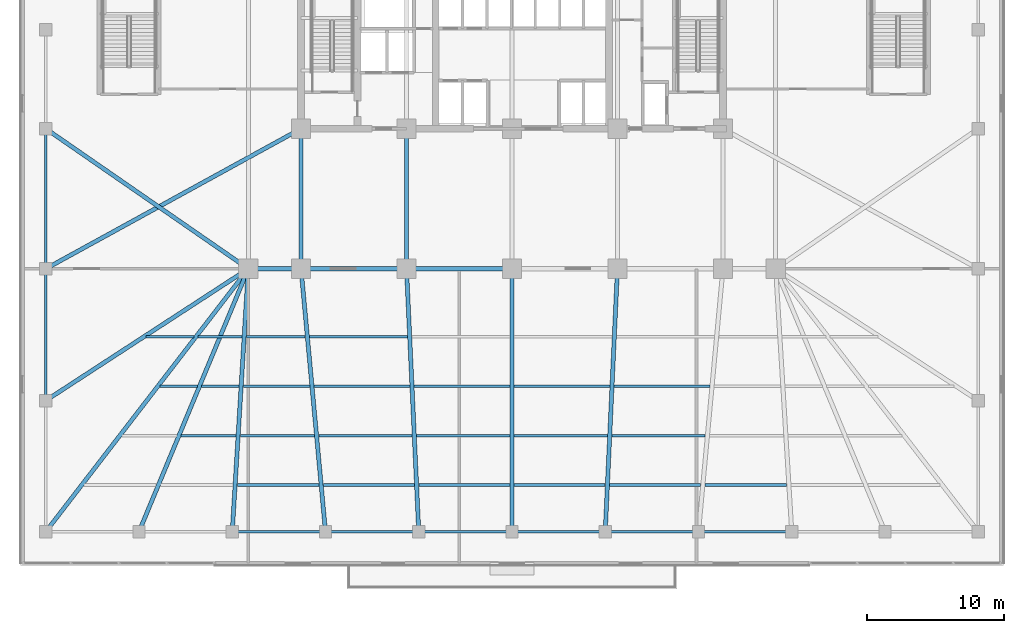
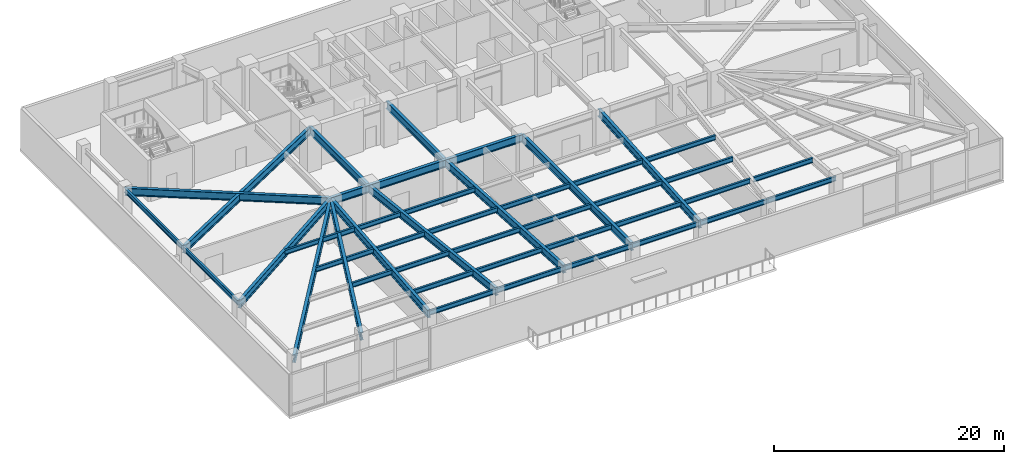
# One storey, part 3 of 15: 46 beams.
"""IFC4 building model written with IfcOpenShell, lengths in metres."""

from ifc_helpers import new_model, si_unit, direction, frame, origin, origin_2d, place, context, subcontext, project, spatial, i_section, extrude, material, material_profile, profile_set, type_object, element, save


model = new_model("IFC4")

# Units and contexts
model_context = context("Model", 3, precision=1e-05, world=origin(), true_north=direction((0.0, 1.0)))
body_context = subcontext(model_context, "Body", "Model", "MODEL_VIEW")
ifc_project = project(units=[si_unit("LENGTHUNIT", "METRE"), si_unit("AREAUNIT", "SQUARE_METRE"), si_unit("VOLUMEUNIT", "CUBIC_METRE"), si_unit("PLANEANGLEUNIT", "RADIAN"), si_unit("MASSUNIT", "GRAM", prefix="KILO")], contexts=[model_context])

# Site, building, storey
site_placement = place(None, origin())
site = spatial("IfcSite", under=ifc_project, at=site_placement, CompositionType="ELEMENT")
building_placement = place(site_placement, origin())
building = spatial("IfcBuilding", under=site, at=building_placement, Name="Yelkora Congress Tower", CompositionType="ELEMENT")
storey_placement = place(building_placement, frame((0.0, 0.0, 20.39990234375)))
storey = spatial("IfcBuildingStorey", under=building, at=storey_placement, Name="L04", CompositionType="ELEMENT", Elevation=20.39990234375)

# Beams
ifc_material_1 = material(Name="Steel S460M", Category="steel")
ifc_material_profile_1 = material_profile(ifc_material_1, i_section(OverallWidth=0.300048828125, OverallDepth=0.800048828125, WebThickness=0.017578125, FlangeThickness=0.032958984375, FilletRadius=0.030029296875, at=origin_2d()), Name="HEB 800")
ifc_profile_set_1 = profile_set([ifc_material_profile_1], Name="Steel S460M")
beam_type_1 = type_object("IfcBeamType", Name="BM-HALL-HEB800", PredefinedType="BEAM", material=ifc_profile_set_1)
beam_1_placement = place(storey_placement, frame((19.199951171875, 25.199951171875, 3.97998046875), z_axis=(1.0, 0.0, 0.0), x_axis=(0.0, 1.0, 0.0)))
element("IfcBeam", 1, at=beam_1_placement, inside=storey, type_object=beam_type_1, Name="L04 Spine Grid D Girder 1", PredefinedType="BEAM", context=body_context, shape_type="SweptSolid", body=[
    extrude(i_section(OverallWidth=0.300048828125, OverallDepth=0.800048828125, WebThickness=0.017578125, FlangeThickness=0.032958984375, FilletRadius=0.030029296875, at=origin_2d()), origin(), (0.0, 0.0, 1.0), 3.840087890625),
])
for number, where, z_axis, x_axis, name in (
    (2, (23.0400390625, 25.199951171875, 3.97998046875), (1.0, 0.0, 0.0), (0.0, 1.0, 0.0), "L04 Spine Grid D Girder 2"),
    (3, (30.719970703125, 25.199951171875, 3.97998046875), (1.0, 0.0, 0.0), (0.0, 1.0, 0.0), "L04 Spine Grid D Girder 3"),
):
    element("IfcBeam", number, at=place(storey_placement, frame(where, z_axis=z_axis, x_axis=x_axis)), inside=storey, type_object=beam_type_1, Name=name, PredefinedType="BEAM", context=body_context, shape_type="SweptSolid", body=[
        extrude(i_section(OverallWidth=0.300048828125, OverallDepth=0.800048828125, WebThickness=0.017578125, FlangeThickness=0.032958984375, FilletRadius=0.030029296875, at=origin_2d()), origin(), (0.0, 0.0, 1.0), 7.679931640625),
    ])
for number, where, z_axis, x_axis, name in (
    (4, (23.0400390625, 25.199951171875, 3.97998046875), (0.0, 1.0, 0.0), (-1.0, 0.0, 0.0), "L04 Core Tie Girder MC-D1"),
    (5, (30.719970703125, 25.199951171875, 3.97998046875), (0.0, 1.0, 0.0), (-1.0, 0.0, 0.0), "L04 Core Tie Girder MC-D2"),
):
    element("IfcBeam", number, at=place(storey_placement, frame(where, z_axis=z_axis, x_axis=x_axis)), inside=storey, type_object=beam_type_1, Name=name, PredefinedType="BEAM", context=body_context, shape_type="SweptSolid", body=[
        extrude(i_section(OverallWidth=0.300048828125, OverallDepth=0.800048828125, WebThickness=0.017578125, FlangeThickness=0.032958984375, FilletRadius=0.030029296875, at=origin_2d()), origin(), (0.0, 0.0, 1.0), 10.199951171875),
    ])
beam_2_placement = place(storey_placement, frame((4.449951171875, 6.050048828125, 3.97998046875), z_axis=(0.610212418574, 0.792237845737, 0.0), x_axis=(-0.792237845737, 0.610212418574, 0.0)))
element("IfcBeam", 6, at=beam_2_placement, inside=storey, type_object=beam_type_1, Name="L04 Primary Frame Girder PS01", PredefinedType="BEAM", context=body_context, shape_type="SweptSolid", body=[
    extrude(i_section(OverallWidth=0.300048828125, OverallDepth=0.800048828125, WebThickness=0.017578125, FlangeThickness=0.032958984375, FilletRadius=0.030029296875, at=origin_2d()), origin(), (0.0, 0.0, 1.0), 24.171875),
])
beam_3_placement = place(storey_placement, frame((11.239990234375, 6.050048828125, 3.97998046875), z_axis=(0.383827816401, 0.923404682334, 0.0), x_axis=(-0.923404682334, 0.383827816401, 0.0)))
element("IfcBeam", 7, at=beam_3_placement, inside=storey, type_object=beam_type_1, Name="L04 Primary Frame Girder PS02", PredefinedType="BEAM", context=body_context, shape_type="SweptSolid", body=[
    extrude(i_section(OverallWidth=0.300048828125, OverallDepth=0.800048828125, WebThickness=0.017578125, FlangeThickness=0.032958984375, FilletRadius=0.030029296875, at=origin_2d()), origin(), (0.0, 0.0, 1.0), 20.73828125),
])
beam_4_placement = place(storey_placement, frame((18.030029296875, 6.050048828125, 3.97998046875), z_axis=(0.060979146345, 0.99813904027, 0.0), x_axis=(-0.99813904027, 0.060979146345, 0.0)))
element("IfcBeam", 8, at=beam_4_placement, inside=storey, type_object=beam_type_1, Name="L04 Primary Frame Girder PS03", PredefinedType="BEAM", context=body_context, shape_type="SweptSolid", body=[
    extrude(i_section(OverallWidth=0.300048828125, OverallDepth=0.800048828125, WebThickness=0.017578125, FlangeThickness=0.032958984375, FilletRadius=0.030029296875, at=origin_2d()), origin(), (0.0, 0.0, 1.0), 19.185546875),
])
beam_5_placement = place(storey_placement, frame((24.820068359375, 6.050048828125, 3.97998046875), z_axis=(-0.092553417869, 0.995707720589, 0.0), x_axis=(-0.995707720589, -0.092553417869, 0.0)))
element("IfcBeam", 9, at=beam_5_placement, inside=storey, type_object=beam_type_1, Name="L04 Primary Frame Girder PS04", PredefinedType="BEAM", context=body_context, shape_type="SweptSolid", body=[
    extrude(i_section(OverallWidth=0.300048828125, OverallDepth=0.800048828125, WebThickness=0.017578125, FlangeThickness=0.032958984375, FilletRadius=0.030029296875, at=origin_2d()), origin(), (0.0, 0.0, 1.0), 19.232421875),
])
beam_6_placement = place(storey_placement, frame((31.610107421875, 6.050048828125, 3.97998046875), z_axis=(-0.046432437641, 0.998921432714, 0.0), x_axis=(-0.998921432714, -0.046432437641, 0.0)))
element("IfcBeam", 10, at=beam_6_placement, inside=storey, type_object=beam_type_1, Name="L04 Primary Frame Girder PS05", PredefinedType="BEAM", context=body_context, shape_type="SweptSolid", body=[
    extrude(i_section(OverallWidth=0.300048828125, OverallDepth=0.800048828125, WebThickness=0.017578125, FlangeThickness=0.032958984375, FilletRadius=0.030029296875, at=origin_2d()), origin(), (0.0, 0.0, 1.0), 19.170654296875),
])
beam_7_placement = place(storey_placement, frame((38.39990234375, 6.050048828125, 3.97998046875), z_axis=(0.0, 1.0, 0.0), x_axis=(-1.0, 0.0, 0.0)))
element("IfcBeam", 11, at=beam_7_placement, inside=storey, type_object=beam_type_1, Name="L04 Primary Frame Girder PS06", PredefinedType="BEAM", context=body_context, shape_type="SweptSolid", body=[
    extrude(i_section(OverallWidth=0.300048828125, OverallDepth=0.800048828125, WebThickness=0.017578125, FlangeThickness=0.032958984375, FilletRadius=0.030029296875, at=origin_2d()), origin(), (0.0, 0.0, 1.0), 19.14990234375),
])
beam_8_placement = place(storey_placement, frame((45.18994140625, 6.050048828125, 3.97998046875), z_axis=(0.046432437641, 0.998921432714, 0.0), x_axis=(-0.998921432714, 0.046432437641, 0.0)))
element("IfcBeam", 12, at=beam_8_placement, inside=storey, type_object=beam_type_1, Name="L04 Primary Frame Girder PS07", PredefinedType="BEAM", context=body_context, shape_type="SweptSolid", body=[
    extrude(i_section(OverallWidth=0.300048828125, OverallDepth=0.800048828125, WebThickness=0.017578125, FlangeThickness=0.032958984375, FilletRadius=0.030029296875, at=origin_2d()), origin(), (0.0, 0.0, 1.0), 19.170654296875),
])
beam_9_placement = place(storey_placement, frame((4.449951171875, 15.60009765625, 3.97998046875), z_axis=(0.83812272066, 0.545481718404, 0.0), x_axis=(-0.545481718404, 0.83812272066, 0.0)))
element("IfcBeam", 13, at=beam_9_placement, inside=storey, type_object=beam_type_1, Name="L04 Primary Frame Girder PW1", PredefinedType="BEAM", context=body_context, shape_type="SweptSolid", body=[
    extrude(i_section(OverallWidth=0.300048828125, OverallDepth=0.800048828125, WebThickness=0.017578125, FlangeThickness=0.032958984375, FilletRadius=0.030029296875, at=origin_2d()), origin(), (0.0, 0.0, 1.0), 17.598876953125),
])
beam_10_placement = place(storey_placement, frame((4.449951171875, 25.199951171875, 3.97998046875), z_axis=(0.876705282536, 0.48102790727, 0.0), x_axis=(-0.48102790727, 0.876705282536, 0.0)))
element("IfcBeam", 14, at=beam_10_placement, inside=storey, type_object=beam_type_1, Name="L04 Primary Frame Girder PW2", PredefinedType="BEAM", context=body_context, shape_type="SweptSolid", body=[
    extrude(i_section(OverallWidth=0.300048828125, OverallDepth=0.800048828125, WebThickness=0.017578125, FlangeThickness=0.032958984375, FilletRadius=0.030029296875, at=origin_2d()), origin(), (0.0, 0.0, 1.0), 21.20458984375),
])
beam_11_placement = place(storey_placement, frame((4.449951171875, 35.39990234375, 3.97998046875), z_axis=(0.822494466498, -0.568773111689, 0.0), x_axis=(0.568773111689, 0.822494466498, 0.0)))
element("IfcBeam", 15, at=beam_11_placement, inside=storey, type_object=beam_type_1, Name="L04 Primary Frame Girder PW3", PredefinedType="BEAM", context=body_context, shape_type="SweptSolid", body=[
    extrude(i_section(OverallWidth=0.300048828125, OverallDepth=0.800048828125, WebThickness=0.017578125, FlangeThickness=0.032958984375, FilletRadius=0.030029296875, at=origin_2d()), origin(), (0.0, 0.0, 1.0), 17.933349609375),
])
ifc_material_2 = material(Name="Steel S355J2", Category="steel")
ifc_material_profile_2 = material_profile(ifc_material_2, i_section(OverallWidth=0.199951171875, OverallDepth=0.5, WebThickness=0.01025390625, FlangeThickness=0.01611328125, FilletRadius=0.02099609375, at=origin_2d()), Name="IPE 500")
ifc_profile_set_2 = profile_set([ifc_material_profile_2], Name="Steel S355J2")
beam_type_2 = type_object("IfcBeamType", Name="BM-JOIST-IPE500", PredefinedType="JOIST", material=ifc_profile_set_2)
beam_12_placement = place(storey_placement, frame((18.397705078125, 9.449951171875, 4.130126953125), z_axis=(1.0, 0.0, 0.0), x_axis=(0.0, 1.0, 0.0)))
element("IfcBeam", 16, at=beam_12_placement, inside=storey, type_object=beam_type_2, Name="L04 Composite Floor Joist 3", PredefinedType="JOIST", context=body_context, shape_type="SweptSolid", body=[
    extrude(i_section(OverallWidth=0.199951171875, OverallDepth=0.5, WebThickness=0.01025390625, FlangeThickness=0.01611328125, FilletRadius=0.02099609375, at=origin_2d()), origin(), (0.0, 0.0, 1.0), 5.9462890625),
])
for number, where, z_axis, x_axis, name in (
    (17, (24.6640625, 9.449951171875, 4.130126953125), (1.0, 0.0, 0.0), (0.0, 1.0, 0.0), "L04 Composite Floor Joist 4"),
    (18, (31.612060546875, 9.449951171875, 4.130126953125), (1.0, 0.0, 0.0), (0.0, 1.0, 0.0), "L04 Composite Floor Joist 5"),
    (19, (38.56005859375, 9.449951171875, 4.130126953125), (1.0, 0.0, 0.0), (0.0, 1.0, 0.0), "L04 Composite Floor Joist 6"),
    (20, (45.508056640625, 9.449951171875, 4.130126953125), (1.0, 0.0, 0.0), (0.0, 1.0, 0.0), "L04 Composite Floor Joist 7"),
):
    element("IfcBeam", number, at=place(storey_placement, frame(where, z_axis=z_axis, x_axis=x_axis)), inside=storey, type_object=beam_type_2, Name=name, PredefinedType="JOIST", context=body_context, shape_type="SweptSolid", body=[
        extrude(i_section(OverallWidth=0.199951171875, OverallDepth=0.5, WebThickness=0.01025390625, FlangeThickness=0.01611328125, FilletRadius=0.02099609375, at=origin_2d()), origin(), (0.0, 0.0, 1.0), 6.6279296875),
    ])
beam_13_placement = place(storey_placement, frame((52.4560546875, 9.449951171875, 4.130126953125), z_axis=(1.0, 0.0, 0.0), x_axis=(0.0, 1.0, 0.0)))
element("IfcBeam", 21, at=beam_13_placement, inside=storey, type_object=beam_type_2, Name="L04 Composite Floor Joist 8", PredefinedType="JOIST", context=body_context, shape_type="SweptSolid", body=[
    extrude(i_section(OverallWidth=0.199951171875, OverallDepth=0.5, WebThickness=0.01025390625, FlangeThickness=0.01611328125, FilletRadius=0.02099609375, at=origin_2d()), origin(), (0.0, 0.0, 1.0), 5.9462890625),
])
beam_14_placement = place(storey_placement, frame((14.309814453125, 13.050048828125, 4.130126953125), z_axis=(1.0, 0.0, 0.0), x_axis=(0.0, 1.0, 0.0)))
element("IfcBeam", 22, at=beam_14_placement, inside=storey, type_object=beam_type_2, Name="L04 Composite Floor Joist 12", PredefinedType="JOIST", context=body_context, shape_type="SweptSolid", body=[
    extrude(i_section(OverallWidth=0.199951171875, OverallDepth=0.5, WebThickness=0.01025390625, FlangeThickness=0.01611328125, FilletRadius=0.02099609375, at=origin_2d()), origin(), (0.0, 0.0, 1.0), 3.98779296875),
])
beam_15_placement = place(storey_placement, frame((18.61767578125, 13.050048828125, 4.130126953125), z_axis=(1.0, 0.0, 0.0), x_axis=(0.0, 1.0, 0.0)))
element("IfcBeam", 23, at=beam_15_placement, inside=storey, type_object=beam_type_2, Name="L04 Composite Floor Joist 13", PredefinedType="JOIST", context=body_context, shape_type="SweptSolid", body=[
    extrude(i_section(OverallWidth=0.199951171875, OverallDepth=0.5, WebThickness=0.01025390625, FlangeThickness=0.01611328125, FilletRadius=0.02099609375, at=origin_2d()), origin(), (0.0, 0.0, 1.0), 5.3916015625),
])
for number, where, z_axis, x_axis, name in (
    (24, (24.329345703125, 13.050048828125, 4.130126953125), (1.0, 0.0, 0.0), (0.0, 1.0, 0.0), "L04 Composite Floor Joist 14"),
    (25, (31.444580078125, 13.050048828125, 4.130126953125), (1.0, 0.0, 0.0), (0.0, 1.0, 0.0), "L04 Composite Floor Joist 15"),
):
    element("IfcBeam", number, at=place(storey_placement, frame(where, z_axis=z_axis, x_axis=x_axis)), inside=storey, type_object=beam_type_2, Name=name, PredefinedType="JOIST", context=body_context, shape_type="SweptSolid", body=[
        extrude(i_section(OverallWidth=0.199951171875, OverallDepth=0.5, WebThickness=0.01025390625, FlangeThickness=0.01611328125, FilletRadius=0.02099609375, at=origin_2d()), origin(), (0.0, 0.0, 1.0), 6.79541015625),
    ])
beam_16_placement = place(storey_placement, frame((38.56005859375, 13.050048828125, 4.130126953125), z_axis=(1.0, 0.0, 0.0), x_axis=(0.0, 1.0, 0.0)))
element("IfcBeam", 26, at=beam_16_placement, inside=storey, type_object=beam_type_2, Name="L04 Composite Floor Joist 16", PredefinedType="JOIST", context=body_context, shape_type="SweptSolid", body=[
    extrude(i_section(OverallWidth=0.199951171875, OverallDepth=0.5, WebThickness=0.01025390625, FlangeThickness=0.01611328125, FilletRadius=0.02099609375, at=origin_2d()), origin(), (0.0, 0.0, 1.0), 6.795166015625),
])
beam_17_placement = place(storey_placement, frame((45.67529296875, 13.050048828125, 4.130126953125), z_axis=(1.0, 0.0, 0.0), x_axis=(0.0, 1.0, 0.0)))
element("IfcBeam", 27, at=beam_17_placement, inside=storey, type_object=beam_type_2, Name="L04 Composite Floor Joist 17", PredefinedType="JOIST", context=body_context, shape_type="SweptSolid", body=[
    extrude(i_section(OverallWidth=0.199951171875, OverallDepth=0.5, WebThickness=0.01025390625, FlangeThickness=0.01611328125, FilletRadius=0.02099609375, at=origin_2d()), origin(), (0.0, 0.0, 1.0), 6.79541015625),
])
beam_18_placement = place(storey_placement, frame((12.7744140625, 16.64990234375, 4.130126953125), z_axis=(1.0, 0.0, 0.0), x_axis=(0.0, 1.0, 0.0)))
element("IfcBeam", 28, at=beam_18_placement, inside=storey, type_object=beam_type_2, Name="L04 Composite Floor Joist 21", PredefinedType="JOIST", context=body_context, shape_type="SweptSolid", body=[
    extrude(i_section(OverallWidth=0.199951171875, OverallDepth=0.5, WebThickness=0.01025390625, FlangeThickness=0.01611328125, FilletRadius=0.02099609375, at=origin_2d()), origin(), (0.0, 0.0, 1.0), 2.711669921875),
])
beam_19_placement = place(storey_placement, frame((15.80615234375, 16.64990234375, 4.130126953125), z_axis=(1.0, 0.0, 0.0), x_axis=(0.0, 1.0, 0.0)))
element("IfcBeam", 29, at=beam_19_placement, inside=storey, type_object=beam_type_2, Name="L04 Composite Floor Joist 22", PredefinedType="JOIST", context=body_context, shape_type="SweptSolid", body=[
    extrude(i_section(OverallWidth=0.199951171875, OverallDepth=0.5, WebThickness=0.01025390625, FlangeThickness=0.01611328125, FilletRadius=0.02099609375, at=origin_2d()), origin(), (0.0, 0.0, 1.0), 2.71142578125),
])
beam_20_placement = place(storey_placement, frame((18.837646484375, 16.64990234375, 4.130126953125), z_axis=(1.0, 0.0, 0.0), x_axis=(0.0, 1.0, 0.0)))
element("IfcBeam", 30, at=beam_20_placement, inside=storey, type_object=beam_type_2, Name="L04 Composite Floor Joist 23", PredefinedType="JOIST", context=body_context, shape_type="SweptSolid", body=[
    extrude(i_section(OverallWidth=0.199951171875, OverallDepth=0.5, WebThickness=0.01025390625, FlangeThickness=0.01611328125, FilletRadius=0.02099609375, at=origin_2d()), origin(), (0.0, 0.0, 1.0), 4.837158203125),
])
beam_21_placement = place(storey_placement, frame((23.99462890625, 16.64990234375, 4.130126953125), z_axis=(1.0, 0.0, 0.0), x_axis=(0.0, 1.0, 0.0)))
element("IfcBeam", 31, at=beam_21_placement, inside=storey, type_object=beam_type_2, Name="L04 Composite Floor Joist 24", PredefinedType="JOIST", context=body_context, shape_type="SweptSolid", body=[
    extrude(i_section(OverallWidth=0.199951171875, OverallDepth=0.5, WebThickness=0.01025390625, FlangeThickness=0.01611328125, FilletRadius=0.02099609375, at=origin_2d()), origin(), (0.0, 0.0, 1.0), 6.962890625),
])
for number, where, z_axis, x_axis, name in (
    (32, (31.27734375, 16.64990234375, 4.130126953125), (1.0, 0.0, 0.0), (0.0, 1.0, 0.0), "L04 Composite Floor Joist 25"),
    (33, (38.56005859375, 16.64990234375, 4.130126953125), (1.0, 0.0, 0.0), (0.0, 1.0, 0.0), "L04 Composite Floor Joist 26"),
):
    element("IfcBeam", number, at=place(storey_placement, frame(where, z_axis=z_axis, x_axis=x_axis)), inside=storey, type_object=beam_type_2, Name=name, PredefinedType="JOIST", context=body_context, shape_type="SweptSolid", body=[
        extrude(i_section(OverallWidth=0.199951171875, OverallDepth=0.5, WebThickness=0.01025390625, FlangeThickness=0.01611328125, FilletRadius=0.02099609375, at=origin_2d()), origin(), (0.0, 0.0, 1.0), 6.962646484375),
    ])
beam_22_placement = place(storey_placement, frame((45.842529296875, 16.64990234375, 4.130126953125), z_axis=(1.0, 0.0, 0.0), x_axis=(0.0, 1.0, 0.0)))
element("IfcBeam", 34, at=beam_22_placement, inside=storey, type_object=beam_type_2, Name="L04 Composite Floor Joist 27", PredefinedType="JOIST", context=body_context, shape_type="SweptSolid", body=[
    extrude(i_section(OverallWidth=0.199951171875, OverallDepth=0.5, WebThickness=0.01025390625, FlangeThickness=0.01611328125, FilletRadius=0.02099609375, at=origin_2d()), origin(), (0.0, 0.0, 1.0), 6.962890625),
])
beam_23_placement = place(storey_placement, frame((11.75439453125, 20.25, 4.130126953125), z_axis=(1.0, 0.0, 0.0), x_axis=(0.0, 1.0, 0.0)))
element("IfcBeam", 35, at=beam_23_placement, inside=storey, type_object=beam_type_2, Name="L04 Composite Floor Joist 32", PredefinedType="JOIST", context=body_context, shape_type="SweptSolid", body=[
    extrude(i_section(OverallWidth=0.199951171875, OverallDepth=0.5, WebThickness=0.01025390625, FlangeThickness=0.01611328125, FilletRadius=0.02099609375, at=origin_2d()), origin(), (0.0, 0.0, 1.0), 3.472900390625),
])
beam_24_placement = place(storey_placement, frame((15.54736328125, 20.25, 4.130126953125), z_axis=(1.0, 0.0, 0.0), x_axis=(0.0, 1.0, 0.0)))
element("IfcBeam", 36, at=beam_24_placement, inside=storey, type_object=beam_type_2, Name="L04 Composite Floor Joist 33", PredefinedType="JOIST", context=body_context, shape_type="SweptSolid", body=[
    extrude(i_section(OverallWidth=0.199951171875, OverallDepth=0.5, WebThickness=0.01025390625, FlangeThickness=0.01611328125, FilletRadius=0.02099609375, at=origin_2d()), origin(), (0.0, 0.0, 1.0), 3.190185546875),
])
beam_25_placement = place(storey_placement, frame((19.0576171875, 20.25, 4.130126953125), z_axis=(1.0, 0.0, 0.0), x_axis=(0.0, 1.0, 0.0)))
element("IfcBeam", 37, at=beam_25_placement, inside=storey, type_object=beam_type_2, Name="L04 Composite Floor Joist 34", PredefinedType="JOIST", context=body_context, shape_type="SweptSolid", body=[
    extrude(i_section(OverallWidth=0.199951171875, OverallDepth=0.5, WebThickness=0.01025390625, FlangeThickness=0.01611328125, FilletRadius=0.02099609375, at=origin_2d()), origin(), (0.0, 0.0, 1.0), 4.282470703125),
])
beam_26_placement = place(storey_placement, frame((23.66015625, 20.25, 4.130126953125), z_axis=(1.0, 0.0, 0.0), x_axis=(0.0, 1.0, 0.0)))
element("IfcBeam", 38, at=beam_26_placement, inside=storey, type_object=beam_type_2, Name="L04 Composite Floor Joist 35", PredefinedType="JOIST", context=body_context, shape_type="SweptSolid", body=[
    extrude(i_section(OverallWidth=0.199951171875, OverallDepth=0.5, WebThickness=0.01025390625, FlangeThickness=0.01611328125, FilletRadius=0.02099609375, at=origin_2d()), origin(), (0.0, 0.0, 1.0), 7.1298828125),
])
ifc_material_profile_3 = material_profile(ifc_material_2, i_section(OverallWidth=0.199951171875, OverallDepth=0.5, WebThickness=0.01025390625, FlangeThickness=0.01611328125, FilletRadius=0.02099609375, at=origin_2d()), Name="IPE 500")
ifc_profile_set_3 = profile_set([ifc_material_profile_3], Name="Steel S355J2")
beam_type_3 = type_object("IfcBeamType", Name="BM-SPAN-IPE500B", PredefinedType="BEAM", material=ifc_profile_set_3)
for number, where, z_axis, x_axis, name in (
    (39, (18.030029296875, 6.050048828125, 4.130126953125), (1.0, 0.0, 0.0), (0.0, 1.0, 0.0), "L04 Perimeter Beam 4"),
    (40, (24.820068359375, 6.050048828125, 4.130126953125), (1.0, 0.0, 0.0), (0.0, 1.0, 0.0), "L04 Perimeter Beam 5"),
):
    element("IfcBeam", number, at=place(storey_placement, frame(where, z_axis=z_axis, x_axis=x_axis)), inside=storey, type_object=beam_type_3, Name=name, PredefinedType="BEAM", context=body_context, shape_type="SweptSolid", body=[
        extrude(i_section(OverallWidth=0.199951171875, OverallDepth=0.5, WebThickness=0.01025390625, FlangeThickness=0.01611328125, FilletRadius=0.02099609375, at=origin_2d()), origin(), (0.0, 0.0, 1.0), 6.7900390625),
    ])
beam_27_placement = place(storey_placement, frame((31.610107421875, 6.050048828125, 4.130126953125), z_axis=(1.0, 0.0, 0.0), x_axis=(0.0, 1.0, 0.0)))
element("IfcBeam", 41, at=beam_27_placement, inside=storey, type_object=beam_type_3, Name="L04 Perimeter Beam 6", PredefinedType="BEAM", context=body_context, shape_type="SweptSolid", body=[
    extrude(i_section(OverallWidth=0.199951171875, OverallDepth=0.5, WebThickness=0.01025390625, FlangeThickness=0.01611328125, FilletRadius=0.02099609375, at=origin_2d()), origin(), (0.0, 0.0, 1.0), 6.789794921875),
])
for number, where, z_axis, x_axis, name in (
    (42, (38.39990234375, 6.050048828125, 4.130126953125), (1.0, 0.0, 0.0), (0.0, 1.0, 0.0), "L04 Perimeter Beam 7"),
    (43, (45.18994140625, 6.050048828125, 4.130126953125), (1.0, 0.0, 0.0), (0.0, 1.0, 0.0), "L04 Perimeter Beam 8"),
    (44, (51.97998046875, 6.050048828125, 4.130126953125), (1.0, 0.0, 0.0), (0.0, 1.0, 0.0), "L04 Perimeter Beam 9"),
):
    element("IfcBeam", number, at=place(storey_placement, frame(where, z_axis=z_axis, x_axis=x_axis)), inside=storey, type_object=beam_type_3, Name=name, PredefinedType="BEAM", context=body_context, shape_type="SweptSolid", body=[
        extrude(i_section(OverallWidth=0.199951171875, OverallDepth=0.5, WebThickness=0.01025390625, FlangeThickness=0.01611328125, FilletRadius=0.02099609375, at=origin_2d()), origin(), (0.0, 0.0, 1.0), 6.7900390625),
    ])
beam_28_placement = place(storey_placement, frame((4.449951171875, 35.39990234375, 4.130126953125), z_axis=(0.0, -1.0, 0.0), x_axis=(1.0, 0.0, 0.0)))
element("IfcBeam", 45, at=beam_28_placement, inside=storey, type_object=beam_type_3, Name="L04 Perimeter Beam 23", PredefinedType="BEAM", context=body_context, shape_type="SweptSolid", body=[
    extrude(i_section(OverallWidth=0.199951171875, OverallDepth=0.5, WebThickness=0.01025390625, FlangeThickness=0.01611328125, FilletRadius=0.02099609375, at=origin_2d()), origin(), (0.0, 0.0, 1.0), 10.199951171875),
])
beam_29_placement = place(storey_placement, frame((4.449951171875, 25.199951171875, 4.130126953125), z_axis=(0.0, -1.0, 0.0), x_axis=(1.0, 0.0, 0.0)))
element("IfcBeam", 46, at=beam_29_placement, inside=storey, type_object=beam_type_3, Name="L04 Perimeter Beam 24", PredefinedType="BEAM", context=body_context, shape_type="SweptSolid", body=[
    extrude(i_section(OverallWidth=0.199951171875, OverallDepth=0.5, WebThickness=0.01025390625, FlangeThickness=0.01611328125, FilletRadius=0.02099609375, at=origin_2d()), origin(), (0.0, 0.0, 1.0), 9.599853515625),
])

save(model, "model.ifc")
